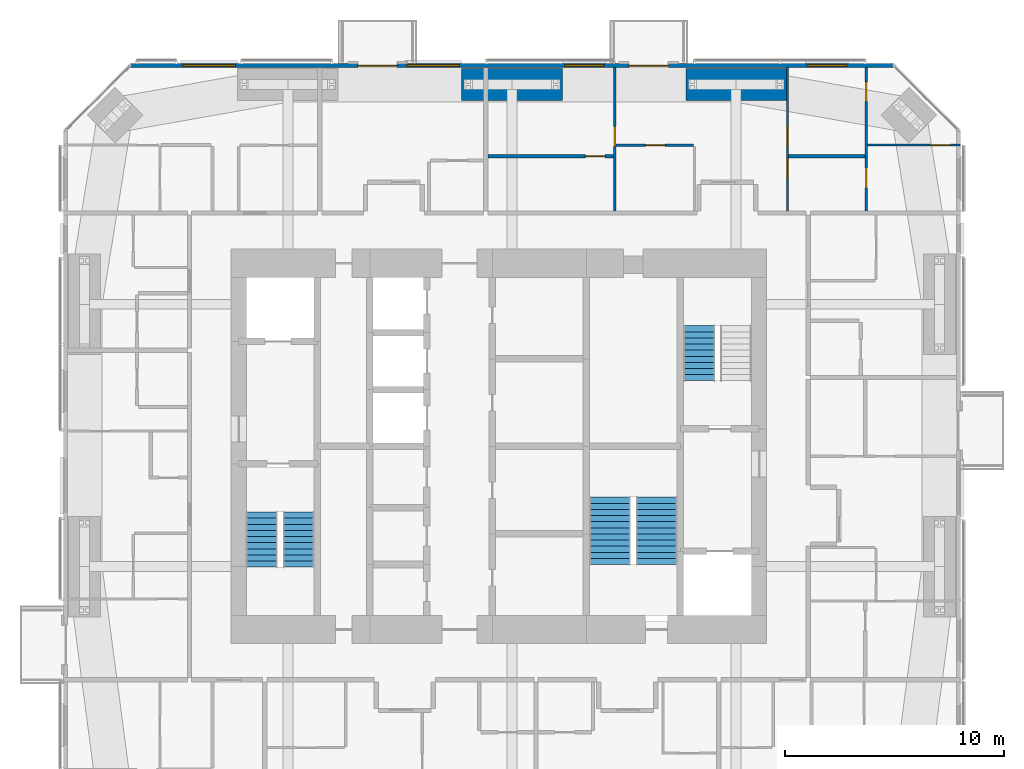
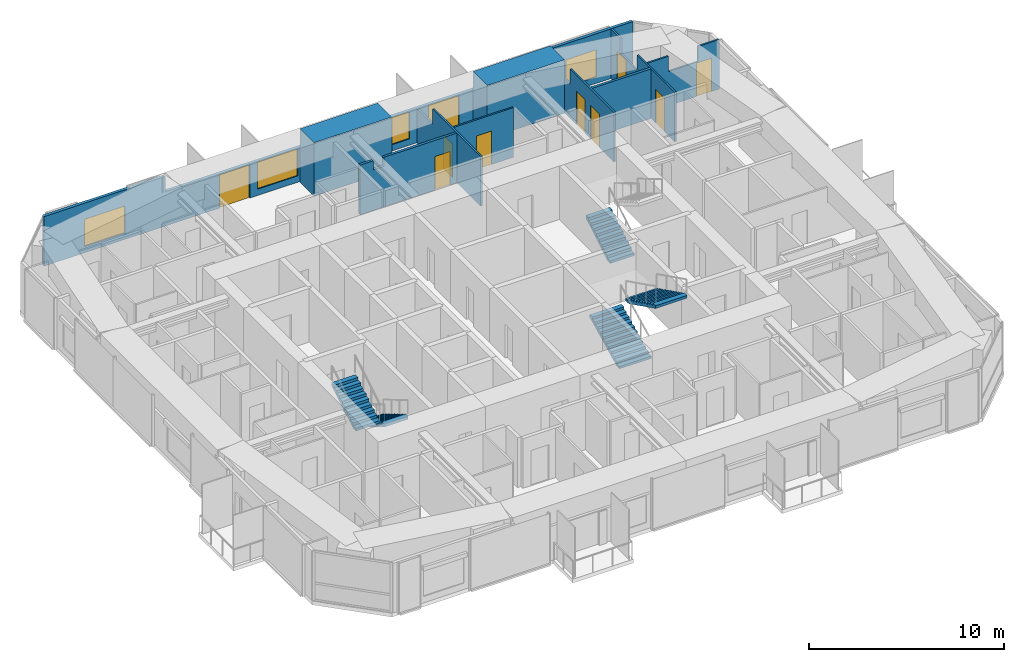
# One storey, part 21 of 23: 10 doors, 10 walls, 5 stair flights, 4 windows, 14 openings, 3 elements without a shape of their own.
"""IFC4 building model written with IfcOpenShell, lengths in metres."""

from ifc_helpers import new_model, si_unit, direction, frame, frame_2d, origin, place, context, subcontext, project, spatial, polyline, rectangle, outline, extrude, material, layer, layer_set, constituent, constituent_set, type_object, element, fill, aggregate, save


model = new_model("IFC4")

# Units and contexts
model_context = context("Model", 3, precision=1e-05, world=origin(), true_north=direction((0.0, 1.0)))
body_context = subcontext(model_context, "Body", "Model", "MODEL_VIEW")
ifc_project = project(units=[si_unit("LENGTHUNIT", "METRE"), si_unit("AREAUNIT", "SQUARE_METRE"), si_unit("VOLUMEUNIT", "CUBIC_METRE"), si_unit("PLANEANGLEUNIT", "RADIAN"), si_unit("MASSUNIT", "GRAM", prefix="KILO")], contexts=[model_context])

# Site, building, storey
site_placement = place(None, origin())
site = spatial("IfcSite", under=ifc_project, at=site_placement, CompositionType="ELEMENT")
building_placement = place(site_placement, origin())
building = spatial("IfcBuilding", under=site, at=building_placement, Name="Jalousie Tower", CompositionType="ELEMENT")
storey_placement = place(building_placement, frame((0.0, 0.0, 171.10009765625)))
storey = spatial("IfcBuildingStorey", under=building, at=storey_placement, Name="L46", CompositionType="ELEMENT", Elevation=171.10009765625)

# Wall, opening, door
ifc_material_1 = material(Name="Concrete block ASTM C90", Category="concrete")
ifc_constituent_1 = constituent(ifc_material_1, Name="Body")
ifc_material_2 = material(Name="Render")
ifc_constituent_2 = constituent(ifc_material_2, Name="Finish")
ifc_constituent_set_1 = constituent_set(constituents=[ifc_constituent_1, ifc_constituent_2])
wall_type_1 = type_object("IfcWallType", Name="BATHROOM WALL 150", PredefinedType="PLUMBINGWALL", material=ifc_constituent_set_1)
wall_1_placement = place(storey_placement, frame((31.39990234375, 31.77490234375, 0.0), z_axis=(0.0, 0.0, 1.0), x_axis=(1.0, 0.0, 0.0)))
wall_1 = element("IfcWall", 1, at=wall_1_placement, inside=storey, type_object=wall_type_1, Name="Bathroom Wall 150 L46", PredefinedType="PLUMBINGWALL", context=body_context, shape_type="SweptSolid", body=[
    extrude(outline(polyline([(0.0, 0.0), (5.75, 0.0), (5.75, 3.10986328125), (1.412353515625, 3.10986328125), (1.412353515625, 2.541015625), (0.78759765625, 2.541015625), (0.78759765625, 3.10986328125), (0.0, 3.10986328125), (0.0, 0.0)])), frame((0.0, 0.074951171875, 0.0), z_axis=(0.0, -1.0, 0.0), x_axis=(1.0, 0.0, 0.0)), (0.0, 0.0, 1.0), 0.14990234375),
])
opening_1_placement = place(wall_1_placement, frame((4.449951171875, 0.0, 0.0)))
opening_1 = element("IfcOpeningElement", 2, at=opening_1_placement, cuts=wall_1, Name="Opening D3", PredefinedType="OPENING", context=body_context, shape_type="SweptSolid", body=[
    extrude(rectangle(XDim=0.89990234375, YDim=2.10009765625, at=frame_2d((0.449951171875, 1.050048828125))), frame((0.0, 0.0849609375, 0.0), z_axis=(0.0, -1.0, 0.0), x_axis=(1.0, 0.0, 0.0)), (0.0, 0.0, 1.0), 0.169921875),
])
ifc_material_3 = material(Name="Timber door", Category="wood")
door_type_1 = type_object("IfcDoorType", Name="BATHROOM DOOR 900", OperationType="SINGLE_SWING_LEFT", PredefinedType="DOOR", material=ifc_material_3)
door_1_placement = place(opening_1_placement, frame((0.89990234375, 0.0, 0.0), z_axis=(0.0, 0.0, 1.0), x_axis=(-1.0, 0.0, 0.0)))
door_1 = element("IfcDoor", 3, at=door_1_placement, inside=storey, type_object=door_type_1, Name="Apartment 4607 bedroom 1 bathroom door", OperationType="SINGLE_SWING_LEFT", OverallHeight=2.10009765625, OverallWidth=0.89990234375, PredefinedType="DOOR", context=body_context, shape_type="SweptSolid", body=[
    extrude(rectangle(XDim=0.89990234375, YDim=2.10009765625, at=frame_2d((0.449951171875, 1.050048828125))), frame((0.0, 0.02490234375, 0.0), z_axis=(0.0, -1.0, 0.0), x_axis=(1.0, 0.0, 0.0)), (0.0, 0.0, 1.0), 0.050048828125),
])
fill(opening_1, door_1)

# Wall
wall_2_placement = place(storey_placement, frame((45.14990234375, 31.77490234375, 0.0), z_axis=(0.0, 0.0, 1.0), x_axis=(1.0, 0.0, 0.0)))
element("IfcWall", 4, at=wall_2_placement, inside=storey, type_object=wall_type_1, Name="Bathroom Wall 150 L46", PredefinedType="PLUMBINGWALL", context=body_context, shape_type="SweptSolid", body=[
    extrude(rectangle(XDim=3.5, YDim=0.14990234375, at=frame_2d((1.75, 0.0))), origin(), (0.0, 0.0, 1.0), 3.10986328125),
])

# Wall, openings, doors, windows
ifc_material_4 = material(Name="Concrete f'c 40 MPa", Category="concrete")
ifc_constituent_3 = constituent(ifc_material_4, Name="Body")
ifc_material_5 = material(Name="Render, pastel lemon")
ifc_constituent_4 = constituent(ifc_material_5, Name="Finish")
ifc_constituent_set_2 = constituent_set(constituents=[ifc_constituent_3, ifc_constituent_4])
wall_type_2 = type_object("IfcWallType", Name="EXTERNAL WALL 175 LEMON RENDER", PredefinedType="SOLIDWALL", material=ifc_constituent_set_2)
wall_3_placement = place(storey_placement, frame((49.94873046875, 35.91259765625, 0.0), z_axis=(0.0, 0.0, 1.0), x_axis=(-1.0, 0.0, 0.0)))
wall_3 = element("IfcWall", 5, at=wall_3_placement, inside=storey, type_object=wall_type_2, Name="External Wall 175 Lemon Render L46", PredefinedType="SOLIDWALL", context=body_context, shape_type="SweptSolid", body=[
    extrude(outline(polyline([(0.0, 0.0), (34.8974609375, 0.0), (34.8974609375, 3.10986328125), (27.91015625, 3.10986328125), (27.91015625, 2.14990234375), (27.8359375, 2.14990234375), (27.8359375, 3.10986328125), (27.69873046875, 3.10986328125), (27.69873046875, 2.14990234375), (7.19873046875, 2.14990234375), (7.19873046875, 3.10986328125), (7.0615234375, 3.10986328125), (7.0615234375, 2.14990234375), (6.9873046875, 2.14990234375), (6.9873046875, 3.10986328125), (0.0, 3.10986328125), (0.0, 0.0)])), frame((0.0, 0.08740234375, 0.0), z_axis=(0.0, -1.0, 0.0), x_axis=(1.0, 0.0, 0.0)), (0.0, 0.0, 1.0), 0.175048828125),
])
opening_2_placement = place(wall_3_placement, frame((2.148681640625, 0.0, 0.39990234375)))
opening_2 = element("IfcOpeningElement", 6, at=opening_2_placement, cuts=wall_3, Name="Opening W-BED170", PredefinedType="OPENING", context=body_context, shape_type="SweptSolid", body=[
    extrude(rectangle(XDim=1.800048828125, YDim=1.699951171875, at=frame_2d((0.89990234375, 0.85009765625))), frame((0.0, 0.097412109375, 0.0), z_axis=(0.0, -1.0, 0.0), x_axis=(1.0, 0.0, 0.0)), (0.0, 0.0, 1.0), 0.195068359375),
])
opening_3_placement = place(wall_3_placement, frame((10.298583984375, 0.0, 0.0)))
opening_3 = element("IfcOpeningElement", 7, at=opening_3_placement, cuts=wall_3, Name="Opening D-BAL21", PredefinedType="OPENING", context=body_context, shape_type="SweptSolid", body=[
    extrude(rectangle(XDim=1.800048828125, YDim=2.10009765625, at=frame_2d((0.89990234375, 1.050048828125))), frame((0.0, 0.097412109375, 0.0), z_axis=(0.0, -1.0, 0.0), x_axis=(1.0, 0.0, 0.0)), (0.0, 0.0, 1.0), 0.195068359375),
])
opening_4_placement = place(wall_3_placement, frame((13.231201171875, 0.0, 0.39990234375)))
opening_4 = element("IfcOpeningElement", 8, at=opening_4_placement, cuts=wall_3, Name="Opening W-BED170", PredefinedType="OPENING", context=body_context, shape_type="SweptSolid", body=[
    extrude(rectangle(XDim=1.800048828125, YDim=1.699951171875, at=frame_2d((0.89990234375, 0.85009765625))), frame((0.0, 0.097412109375, 0.0), z_axis=(0.0, -1.0, 0.0), x_axis=(1.0, 0.0, 0.0)), (0.0, 0.0, 1.0), 0.195068359375),
])
opening_5_placement = place(wall_3_placement, frame((22.69873046875, 0.0, 0.0)))
opening_5 = element("IfcOpeningElement", 9, at=opening_5_placement, cuts=wall_3, Name="Opening D-BAL21", PredefinedType="OPENING", context=body_context, shape_type="SweptSolid", body=[
    extrude(rectangle(XDim=1.800048828125, YDim=2.10009765625, at=frame_2d((0.89990234375, 1.050048828125))), frame((0.0, 0.097412109375, 0.0), z_axis=(0.0, -1.0, 0.0), x_axis=(1.0, 0.0, 0.0)), (0.0, 0.0, 1.0), 0.195068359375),
])
opening_6_placement = place(wall_3_placement, frame((19.85302734375, 0.0, 0.39990234375)))
opening_6 = element("IfcOpeningElement", 10, at=opening_6_placement, cuts=wall_3, Name="Opening W-LIV170", PredefinedType="OPENING", context=body_context, shape_type="SweptSolid", body=[
    extrude(rectangle(XDim=2.39990234375, YDim=1.699951171875, at=frame_2d((1.199951171875, 0.85009765625))), frame((0.0, 0.097412109375, 0.0), z_axis=(0.0, -1.0, 0.0), x_axis=(1.0, 0.0, 0.0)), (0.0, 0.0, 1.0), 0.195068359375),
])
opening_7_placement = place(wall_3_placement, frame((30.104248046875, 0.0, 0.39990234375)))
opening_7 = element("IfcOpeningElement", 11, at=opening_7_placement, cuts=wall_3, Name="Opening W-LIV170", PredefinedType="OPENING", context=body_context, shape_type="SweptSolid", body=[
    extrude(rectangle(XDim=2.39990234375, YDim=1.699951171875, at=frame_2d((1.199951171875, 0.85009765625))), frame((0.0, 0.097412109375, 0.0), z_axis=(0.0, -1.0, 0.0), x_axis=(1.0, 0.0, 0.0)), (0.0, 0.0, 1.0), 0.195068359375),
])
ifc_material_6 = material(Name="Aluminium frame, impact-rated glazing", Category="aluminium")
door_type_2 = type_object("IfcDoorType", Name="BALCONY DOOR 1800x2100", OperationType="SLIDING_TO_LEFT", PredefinedType="DOOR", material=ifc_material_6)
door_2_placement = place(opening_3_placement, origin())
door_2 = element("IfcDoor", 12, at=door_2_placement, inside=storey, type_object=door_type_2, Name="Apartment 4607 living and dining room balcony door", OperationType="SLIDING_TO_LEFT", OverallHeight=2.10009765625, OverallWidth=1.800048828125, PredefinedType="DOOR", context=body_context, shape_type="SweptSolid", body=[
    extrude(rectangle(XDim=1.800048828125, YDim=2.10009765625, at=frame_2d((0.89990234375, 1.050048828125))), frame((0.0, 0.02490234375, 0.0), z_axis=(0.0, -1.0, 0.0), x_axis=(1.0, 0.0, 0.0)), (0.0, 0.0, 1.0), 0.050048828125),
])
fill(opening_3, door_2)
door_3_placement = place(opening_5_placement, origin())
door_3 = element("IfcDoor", 13, at=door_3_placement, inside=storey, type_object=door_type_2, Name="Apartment 4606 studio kitchen, living and sleeping room balcony door", OperationType="SLIDING_TO_LEFT", OverallHeight=2.10009765625, OverallWidth=1.800048828125, PredefinedType="DOOR", context=body_context, shape_type="SweptSolid", body=[
    extrude(rectangle(XDim=1.800048828125, YDim=2.10009765625, at=frame_2d((0.89990234375, 1.050048828125))), frame((0.0, 0.02490234375, 0.0), z_axis=(0.0, -1.0, 0.0), x_axis=(1.0, 0.0, 0.0)), (0.0, 0.0, 1.0), 0.050048828125),
])
fill(opening_5, door_3)
ifc_material_7 = material(Name="Aluminium frame, impact-rated glazing", Category="aluminium")
window_type_1 = type_object("IfcWindowType", Name="WINDOW BED 1800x1700", PartitioningType="SINGLE_PANEL", PredefinedType="WINDOW", material=ifc_material_7)
window_1_placement = place(opening_2_placement, origin())
window_1 = element("IfcWindow", 14, at=window_1_placement, inside=storey, type_object=window_type_1, Name="Apartment 4607 bedroom 2 window", OverallHeight=1.699951171875, OverallWidth=1.800048828125, PartitioningType="SINGLE_PANEL", PredefinedType="WINDOW", context=body_context, shape_type="SweptSolid", body=[
    extrude(rectangle(XDim=1.800048828125, YDim=1.699951171875, at=frame_2d((0.89990234375, 0.85009765625))), frame((0.0, 0.030029296875, 0.0), z_axis=(0.0, -1.0, 0.0), x_axis=(1.0, 0.0, 0.0)), (0.0, 0.0, 1.0), 0.06005859375),
])
fill(opening_2, window_1)
window_2_placement = place(opening_4_placement, origin())
window_2 = element("IfcWindow", 15, at=window_2_placement, inside=storey, type_object=window_type_1, Name="Apartment 4607 bedroom 1 window", OverallHeight=1.699951171875, OverallWidth=1.800048828125, PartitioningType="SINGLE_PANEL", PredefinedType="WINDOW", context=body_context, shape_type="SweptSolid", body=[
    extrude(rectangle(XDim=1.800048828125, YDim=1.699951171875, at=frame_2d((0.89990234375, 0.85009765625))), frame((0.0, 0.030029296875, 0.0), z_axis=(0.0, -1.0, 0.0), x_axis=(1.0, 0.0, 0.0)), (0.0, 0.0, 1.0), 0.06005859375),
])
fill(opening_4, window_2)
ifc_material_8 = material(Name="Aluminium frame, impact-rated glazing", Category="aluminium")
window_type_2 = type_object("IfcWindowType", Name="WINDOW LIV 2400x1700", PartitioningType="DOUBLE_PANEL_VERTICAL", PredefinedType="WINDOW", material=ifc_material_8)
window_3_placement = place(opening_6_placement, origin())
window_3 = element("IfcWindow", 16, at=window_3_placement, inside=storey, type_object=window_type_2, Name="Apartment 4606 studio kitchen, living and sleeping room window", OverallHeight=1.699951171875, OverallWidth=2.39990234375, PartitioningType="SINGLE_PANEL", PredefinedType="WINDOW", context=body_context, shape_type="SweptSolid", body=[
    extrude(rectangle(XDim=2.39990234375, YDim=1.699951171875, at=frame_2d((1.199951171875, 0.85009765625))), frame((0.0, 0.030029296875, 0.0), z_axis=(0.0, -1.0, 0.0), x_axis=(1.0, 0.0, 0.0)), (0.0, 0.0, 1.0), 0.06005859375),
])
fill(opening_6, window_3)
window_4_placement = place(opening_7_placement, origin())
window_4 = element("IfcWindow", 17, at=window_4_placement, inside=storey, type_object=window_type_2, Name="Apartment 4605 living and dining room window", OverallHeight=1.699951171875, OverallWidth=2.39990234375, PartitioningType="SINGLE_PANEL", PredefinedType="WINDOW", context=body_context, shape_type="SweptSolid", body=[
    extrude(rectangle(XDim=2.39990234375, YDim=1.699951171875, at=frame_2d((1.199951171875, 0.85009765625))), frame((0.0, 0.030029296875, 0.0), z_axis=(0.0, -1.0, 0.0), x_axis=(1.0, 0.0, 0.0)), (0.0, 0.0, 1.0), 0.06005859375),
])
fill(opening_7, window_4)

# Wall, opening, door
ifc_material_9 = material(Name="Gypsum board", Category="gypsum")
ifc_constituent_5 = constituent(ifc_material_9, Name="Body")
ifc_material_10 = material(Name="Light-gauge steel studs ASTM A653 SS Grade 33", Category="steel")
ifc_constituent_6 = constituent(ifc_material_10, Name="Framing")
ifc_constituent_set_3 = constituent_set(constituents=[ifc_constituent_5, ifc_constituent_6])
wall_type_3 = type_object("IfcWallType", Name="PARTITION 100", PredefinedType="PARTITIONING", material=ifc_constituent_set_3)
wall_4_placement = place(storey_placement, frame((37.199951171875, 35.824951171875, 0.0), z_axis=(0.0, 0.0, 1.0), x_axis=(0.0, -1.0, 0.0)))
wall_4 = element("IfcWall", 18, at=wall_4_placement, inside=storey, type_object=wall_type_3, Name="Partition 100 L46", PredefinedType="PARTITIONING", context=body_context, shape_type="SweptSolid", body=[
    extrude(outline(polyline([(0.0, 0.0), (6.550048828125, 0.0), (6.550048828125, 3.10986328125), (1.635009765625, 3.10986328125), (1.635009765625, 2.14990234375), (0.0, 2.14990234375), (0.0, 3.10986328125), (0.0, 0.0)])), frame((0.0, 0.050048828125, 0.0), z_axis=(0.0, -1.0, 0.0), x_axis=(1.0, 0.0, 0.0)), (0.0, 0.0, 1.0), 0.10009765625),
])
opening_8_placement = place(wall_4_placement, frame((2.699951171875, 0.0, 0.0)))
opening_8 = element("IfcOpeningElement", 19, at=opening_8_placement, cuts=wall_4, Name="Opening D2", PredefinedType="OPENING", context=body_context, shape_type="SweptSolid", body=[
    extrude(rectangle(XDim=0.89990234375, YDim=2.10009765625, at=frame_2d((0.449951171875, 1.050048828125))), frame((0.0, 0.06005859375, 0.0), z_axis=(0.0, -1.0, 0.0), x_axis=(1.0, 0.0, 0.0)), (0.0, 0.0, 1.0), 0.1201171875),
])
ifc_material_11 = material(Name="Timber door", Category="wood")
door_type_3 = type_object("IfcDoorType", Name="BEDROOM DOOR 900", OperationType="SINGLE_SWING_LEFT", PredefinedType="DOOR", material=ifc_material_11)
door_4_placement = place(opening_8_placement, frame((0.89990234375, 0.0, 0.0), z_axis=(0.0, 0.0, 1.0), x_axis=(-1.0, 0.0, 0.0)))
door_4 = element("IfcDoor", 20, at=door_4_placement, inside=storey, type_object=door_type_3, Name="Apartment 4607 bedroom 1 door", OperationType="SINGLE_SWING_LEFT", OverallHeight=2.10009765625, OverallWidth=0.89990234375, PredefinedType="DOOR", context=body_context, shape_type="SweptSolid", body=[
    extrude(rectangle(XDim=0.89990234375, YDim=2.10009765625, at=frame_2d((0.449951171875, 1.050048828125))), frame((0.0, 0.02490234375, 0.0), z_axis=(0.0, -1.0, 0.0), x_axis=(1.0, 0.0, 0.0)), (0.0, 0.0, 1.0), 0.050048828125),
])
fill(opening_8, door_4)

# Wall, openings, doors
wall_5_placement = place(storey_placement, frame((45.10009765625, 35.824951171875, 0.0), z_axis=(0.0, 0.0, 1.0), x_axis=(0.0, -1.0, 0.0)))
wall_5 = element("IfcWall", 21, at=wall_5_placement, inside=storey, type_object=wall_type_3, Name="Partition 100 L46", PredefinedType="PARTITIONING", context=body_context, shape_type="SweptSolid", body=[
    extrude(outline(polyline([(0.0, 0.0), (6.550048828125, 0.0), (6.550048828125, 3.10986328125), (2.064208984375, 3.10986328125), (2.064208984375, 2.14990234375), (0.317626953125, 2.14990234375), (0.317626953125, 3.10986328125), (0.0, 3.10986328125), (0.0, 0.0)])), frame((0.0, 0.050048828125, 0.0), z_axis=(0.0, -1.0, 0.0), x_axis=(1.0, 0.0, 0.0)), (0.0, 0.0, 1.0), 0.10009765625),
])
opening_9_placement = place(wall_5_placement, frame((2.699951171875, 0.0, 0.0)))
opening_9 = element("IfcOpeningElement", 22, at=opening_9_placement, cuts=wall_5, Name="Opening D2", PredefinedType="OPENING", context=body_context, shape_type="SweptSolid", body=[
    extrude(rectangle(XDim=0.89990234375, YDim=2.10009765625, at=frame_2d((0.449951171875, 1.050048828125))), frame((0.0, 0.06005859375, 0.0), z_axis=(0.0, -1.0, 0.0), x_axis=(1.0, 0.0, 0.0)), (0.0, 0.0, 1.0), 0.1201171875),
])
opening_10_placement = place(wall_5_placement, frame((4.14990234375, 0.0, 0.0)))
opening_10 = element("IfcOpeningElement", 23, at=opening_10_placement, cuts=wall_5, Name="Opening D7", PredefinedType="OPENING", context=body_context, shape_type="SweptSolid", body=[
    extrude(rectangle(XDim=0.89990234375, YDim=2.10009765625, at=frame_2d((0.449951171875, 1.050048828125))), frame((0.0, 0.06005859375, 0.0), z_axis=(0.0, -1.0, 0.0), x_axis=(1.0, 0.0, 0.0)), (0.0, 0.0, 1.0), 0.1201171875),
])
door_5_placement = place(opening_9_placement, origin())
door_5 = element("IfcDoor", 24, at=door_5_placement, inside=storey, type_object=door_type_3, Name="Apartment 4607 bedroom 2 door", OperationType="SINGLE_SWING_RIGHT", OverallHeight=2.10009765625, OverallWidth=0.89990234375, PredefinedType="DOOR", context=body_context, shape_type="SweptSolid", body=[
    extrude(rectangle(XDim=0.89990234375, YDim=2.10009765625, at=frame_2d((0.449951171875, 1.050048828125))), frame((0.0, 0.02490234375, 0.0), z_axis=(0.0, -1.0, 0.0), x_axis=(1.0, 0.0, 0.0)), (0.0, 0.0, 1.0), 0.050048828125),
])
fill(opening_9, door_5)
ifc_material_12 = material(Name="Timber door", Category="wood")
door_type_4 = type_object("IfcDoorType", Name="INTERNAL DOOR 900", OperationType="SINGLE_SWING_LEFT", PredefinedType="DOOR", material=ifc_material_12)
door_6_placement = place(opening_10_placement, origin())
door_6 = element("IfcDoor", 25, at=door_6_placement, inside=storey, type_object=door_type_4, Name="Apartment 4607 bathroom door", OperationType="SINGLE_SWING_LEFT", OverallHeight=2.10009765625, OverallWidth=0.89990234375, PredefinedType="DOOR", context=body_context, shape_type="SweptSolid", body=[
    extrude(rectangle(XDim=0.89990234375, YDim=2.10009765625, at=frame_2d((0.449951171875, 1.050048828125))), frame((0.0, 0.02490234375, 0.0), z_axis=(0.0, -1.0, 0.0), x_axis=(1.0, 0.0, 0.0)), (0.0, 0.0, 1.0), 0.050048828125),
])
fill(opening_10, door_6)

wall_6_placement = place(storey_placement, frame((48.699951171875, 35.824951171875, 0.0), z_axis=(0.0, 0.0, 1.0), x_axis=(0.0, -1.0, 0.0)))
wall_6 = element("IfcWall", 26, at=wall_6_placement, inside=storey, type_object=wall_type_3, Name="Partition 100 L46", PredefinedType="PARTITIONING", context=body_context, shape_type="SweptSolid", body=[
    extrude(outline(polyline([(0.0, 0.0), (6.550048828125, 0.0), (6.550048828125, 3.10986328125), (2.701416015625, 3.10986328125), (2.701416015625, 2.14990234375), (0.95458984375, 2.14990234375), (0.95458984375, 3.10986328125), (0.0, 3.10986328125), (0.0, 0.0)])), frame((0.0, 0.050048828125, 0.0), z_axis=(0.0, -1.0, 0.0), x_axis=(1.0, 0.0, 0.0)), (0.0, 0.0, 1.0), 0.10009765625),
])
opening_11_placement = place(wall_6_placement, frame((0.64990234375, 0.0, 0.0)))
opening_11 = element("IfcOpeningElement", 27, at=opening_11_placement, cuts=wall_6, Name="Opening D2", PredefinedType="OPENING", context=body_context, shape_type="SweptSolid", body=[
    extrude(rectangle(XDim=0.89990234375, YDim=2.10009765625, at=frame_2d((0.449951171875, 1.050048828125))), frame((0.0, 0.06005859375, 0.0), z_axis=(0.0, -1.0, 0.0), x_axis=(1.0, 0.0, 0.0)), (0.0, 0.0, 1.0), 0.1201171875),
])
opening_12_placement = place(wall_6_placement, frame((4.59814453125, 0.0, 0.0)))
opening_12 = element("IfcOpeningElement", 28, at=opening_12_placement, cuts=wall_6, Name="Opening D3", PredefinedType="OPENING", context=body_context, shape_type="SweptSolid", body=[
    extrude(rectangle(XDim=0.89990234375, YDim=2.10009765625, at=frame_2d((0.449951171875, 1.050048828125))), frame((0.0, 0.06005859375, 0.0), z_axis=(0.0, -1.0, 0.0), x_axis=(1.0, 0.0, 0.0)), (0.0, 0.0, 1.0), 0.1201171875),
])
door_7_placement = place(opening_12_placement, frame((0.89990234375, 0.0, 0.0), z_axis=(0.0, 0.0, 1.0), x_axis=(-1.0, 0.0, 0.0)))
door_7 = element("IfcDoor", 29, at=door_7_placement, inside=storey, type_object=door_type_1, Name="Apartment 4607 bedroom 3 bathroom door", OperationType="SINGLE_SWING_RIGHT", OverallHeight=2.10009765625, OverallWidth=0.89990234375, PredefinedType="DOOR", context=body_context, shape_type="SweptSolid", body=[
    extrude(rectangle(XDim=0.89990234375, YDim=2.10009765625, at=frame_2d((0.449951171875, 1.050048828125))), frame((0.0, 0.02490234375, 0.0), z_axis=(0.0, -1.0, 0.0), x_axis=(1.0, 0.0, 0.0)), (0.0, 0.0, 1.0), 0.050048828125),
])
fill(opening_12, door_7)
door_8_placement = place(opening_11_placement, frame((0.89990234375, 0.0, 0.0), z_axis=(0.0, 0.0, 1.0), x_axis=(-1.0, 0.0, 0.0)))
door_8 = element("IfcDoor", 30, at=door_8_placement, inside=storey, type_object=door_type_3, Name="Apartment 4607 bedroom 3 door", OperationType="SINGLE_SWING_RIGHT", OverallHeight=2.10009765625, OverallWidth=0.89990234375, PredefinedType="DOOR", context=body_context, shape_type="SweptSolid", body=[
    extrude(rectangle(XDim=0.89990234375, YDim=2.10009765625, at=frame_2d((0.449951171875, 1.050048828125))), frame((0.0, 0.02490234375, 0.0), z_axis=(0.0, -1.0, 0.0), x_axis=(1.0, 0.0, 0.0)), (0.0, 0.0, 1.0), 0.050048828125),
])
fill(opening_11, door_8)

# Wall, opening, door
wall_7_placement = place(storey_placement, frame((48.75, 32.27880859375, 0.0), z_axis=(0.0, 0.0, 1.0), x_axis=(1.0, 0.0, 0.0)))
wall_7 = element("IfcWall", 31, at=wall_7_placement, inside=storey, type_object=wall_type_3, Name="Partition 100 L46", PredefinedType="PARTITIONING", context=body_context, shape_type="SweptSolid", body=[
    extrude(outline(polyline([(0.0, 0.0), (4.25, 0.0), (4.25, 3.10986328125), (2.99462890625, 3.10986328125), (2.99462890625, 2.14990234375), (1.252197265625, 2.14990234375), (1.252197265625, 3.10986328125), (0.0, 3.10986328125), (0.0, 0.0)])), frame((0.0, 0.050048828125, 0.0), z_axis=(0.0, -1.0, 0.0), x_axis=(1.0, 0.0, 0.0)), (0.0, 0.0, 1.0), 0.10009765625),
])
opening_13_placement = place(wall_7_placement, frame((2.89990234375, 0.0, 0.0)))
opening_13 = element("IfcOpeningElement", 32, at=opening_13_placement, cuts=wall_7, Name="Opening D7", PredefinedType="OPENING", context=body_context, shape_type="SweptSolid", body=[
    extrude(rectangle(XDim=0.89990234375, YDim=2.10009765625, at=frame_2d((0.449951171875, 1.050048828125))), frame((0.0, 0.06005859375, 0.0), z_axis=(0.0, -1.0, 0.0), x_axis=(1.0, 0.0, 0.0)), (0.0, 0.0, 1.0), 0.1201171875),
])
door_9_placement = place(opening_13_placement, frame((0.89990234375, 0.0, 0.0), z_axis=(0.0, 0.0, 1.0), x_axis=(-1.0, 0.0, 0.0)))
door_9 = element("IfcDoor", 33, at=door_9_placement, inside=storey, type_object=door_type_4, Name="Apartment 4607 bedroom 3 dressing hall door", OperationType="SINGLE_SWING_LEFT", OverallHeight=2.10009765625, OverallWidth=0.89990234375, PredefinedType="DOOR", context=body_context, shape_type="SweptSolid", body=[
    extrude(rectangle(XDim=0.89990234375, YDim=2.10009765625, at=frame_2d((0.449951171875, 1.050048828125))), frame((0.0, 0.02490234375, 0.0), z_axis=(0.0, -1.0, 0.0), x_axis=(1.0, 0.0, 0.0)), (0.0, 0.0, 1.0), 0.050048828125),
])
fill(opening_13, door_9)

wall_8_placement = place(storey_placement, frame((37.25, 32.27490234375, 0.0), z_axis=(0.0, 0.0, 1.0), x_axis=(1.0, 0.0, 0.0)))
wall_8 = element("IfcWall", 34, at=wall_8_placement, inside=storey, type_object=wall_type_3, Name="Partition 100 L46", PredefinedType="PARTITIONING", context=body_context, shape_type="SweptSolid", body=[
    extrude(rectangle(XDim=3.550048828125, YDim=0.10009765625, at=frame_2d((1.77490234375, 0.0))), origin(), (0.0, 0.0, 1.0), 3.10986328125),
])
opening_14_placement = place(wall_8_placement, frame((1.35009765625, 0.0, 0.0)))
opening_14 = element("IfcOpeningElement", 35, at=opening_14_placement, cuts=wall_8, Name="Opening D7", PredefinedType="OPENING", context=body_context, shape_type="SweptSolid", body=[
    extrude(rectangle(XDim=0.89990234375, YDim=2.10009765625, at=frame_2d((0.449951171875, 1.050048828125))), frame((0.0, 0.06005859375, 0.0), z_axis=(0.0, -1.0, 0.0), x_axis=(1.0, 0.0, 0.0)), (0.0, 0.0, 1.0), 0.1201171875),
])
door_10_placement = place(opening_14_placement, origin())
door_10 = element("IfcDoor", 36, at=door_10_placement, inside=storey, type_object=door_type_4, Name="Apartment 4607 kitchen door", OperationType="SINGLE_SWING_LEFT", OverallHeight=2.10009765625, OverallWidth=0.89990234375, PredefinedType="DOOR", context=body_context, shape_type="SweptSolid", body=[
    extrude(rectangle(XDim=0.89990234375, YDim=2.10009765625, at=frame_2d((0.449951171875, 1.050048828125))), frame((0.0, 0.02490234375, 0.0), z_axis=(0.0, -1.0, 0.0), x_axis=(1.0, 0.0, 0.0)), (0.0, 0.0, 1.0), 0.050048828125),
])
fill(opening_14, door_10)

# Walls
ifc_material_13 = material(Name="Concrete f'c 120 MPa", Category="concrete")
ifc_layer = layer(ifc_material_13, 1.449951171875)
ifc_layer_set = layer_set([ifc_layer], Name="Concrete f'c 120 MPa")
wall_type_4 = type_object("IfcWallType", Name="RC WALL PIER 1450", PredefinedType="SHEAR", material=ifc_layer_set)
for number, where, z_axis, x_axis, name in (
    (37, (40.449951171875, 35.050048828125, 0.0), (0.0, 0.0, 1.0), (1.0, 0.0, 0.0), "Wall pier 09 L46"),
    (38, (30.199951171875, 35.050048828125, 0.0), (0.0, 0.0, 1.0), (1.0, 0.0, 0.0), "Wall pier 10 L46"),
):
    element("IfcWall", number, at=place(storey_placement, frame(where, z_axis=z_axis, x_axis=x_axis)), inside=storey, type_object=wall_type_4, Name=name, PredefinedType="SHEAR", context=body_context, shape_type="SweptSolid", body=[
        extrude(rectangle(XDim=4.60009765625, YDim=1.449951171875, at=frame_2d((2.300048828125, 0.0))), origin(), (0.0, 0.0, 1.0), 3.349853515625),
    ])

# Stair, stair flights
ifc_material_14 = material(Name="Concrete f'c 40 MPa", Category="concrete")
stair_type = type_object("IfcStairType", Name="EXIT STAIR", PredefinedType="HALF_TURN_STAIR", material=ifc_material_14)
stair_1_placement = place(storey_placement, origin())
stair_1 = element("IfcStair", 39, at=stair_1_placement, inside=storey, type_object=stair_type, Name="Exit stair A L46", PredefinedType="HALF_TURN_STAIR")
ifc_material_15 = material(Name="Concrete f'c 40 MPa", Category="concrete")
stair_flight_type = type_object("IfcStairFlightType", Name="STAIR FLIGHT", PredefinedType="STRAIGHT", material=ifc_material_15)
stair_flight_1_placement = place(storey_placement, frame((22.737548828125, 15.49755859375, 0.0), z_axis=(0.0, 0.0, 1.0), x_axis=(0.0, -1.0, 0.0)))
stair_flight_1 = element("IfcStairFlight", 40, at=stair_flight_1_placement, type_object=stair_flight_type, Name="ST-A flight 1", NumberOfRisers=10, NumberOfTreads=9, PredefinedType="STRAIGHT", RiserHeight=0.1675, TreadLength=0.28, context=body_context, shape_type="SweptSolid", body=[
    extrude(outline(polyline([(0.0, 0.0), (0.0, 0.16748046875), (0.280029296875, 0.16748046875), (0.280029296875, 0.3349609375), (0.56005859375, 0.3349609375), (0.56005859375, 0.50244140625), (0.840087890625, 0.50244140625), (0.840087890625, 0.669921875), (1.1201171875, 0.669921875), (1.1201171875, 0.83740234375), (1.39990234375, 0.83740234375), (1.39990234375, 1.0048828125), (1.679931640625, 1.0048828125), (1.679931640625, 1.172607421875), (1.9599609375, 1.172607421875), (1.9599609375, 1.340087890625), (2.239990234375, 1.340087890625), (2.239990234375, 1.507568359375), (2.52001953125, 1.507568359375), (2.52001953125, 1.675048828125), (2.52001953125, 1.332763671875), (0.2919921875, 0.0), (0.0, 0.0)])), frame((0.0, 0.71240234375, 0.0), z_axis=(0.0, -1.0, 0.0), x_axis=(1.0, 0.0, 0.0)), (0.0, 0.0, 1.0), 1.425048828125),
])
stair_flight_2_placement = place(storey_placement, frame((21.0625, 12.9775390625, 1.6748046875), z_axis=(0.0, 0.0, 1.0), x_axis=(0.0, 1.0, 0.0)))
stair_flight_2 = element("IfcStairFlight", 41, at=stair_flight_2_placement, type_object=stair_flight_type, Name="ST-A flight 2", NumberOfRisers=10, NumberOfTreads=9, PredefinedType="STRAIGHT", RiserHeight=0.1675, TreadLength=0.28, context=body_context, shape_type="SweptSolid", body=[
    extrude(outline(polyline([(0.0, 0.0), (0.0, 0.16748046875), (0.280029296875, 0.16748046875), (0.280029296875, 0.3349609375), (0.56005859375, 0.3349609375), (0.56005859375, 0.50244140625), (0.840087890625, 0.50244140625), (0.840087890625, 0.669921875), (1.1201171875, 0.669921875), (1.1201171875, 0.83740234375), (1.39990234375, 0.83740234375), (1.39990234375, 1.0048828125), (1.679931640625, 1.0048828125), (1.679931640625, 1.172607421875), (1.9599609375, 1.172607421875), (1.9599609375, 1.340087890625), (2.239990234375, 1.340087890625), (2.239990234375, 1.507568359375), (2.52001953125, 1.507568359375), (2.52001953125, 1.675048828125), (2.52001953125, 1.332763671875), (0.2919921875, 0.0), (0.0, 0.0)])), frame((0.0, 0.71240234375, 0.0), z_axis=(0.0, -1.0, 0.0), x_axis=(1.0, 0.0, 0.0)), (0.0, 0.0, 1.0), 1.425048828125),
])
aggregate(stair_1, [stair_flight_1, stair_flight_2])

# Stair, stair flight
stair_2_placement = place(storey_placement, origin())
stair_2 = element("IfcStair", 42, at=stair_2_placement, inside=storey, type_object=stair_type, Name="Exit stair B L46", PredefinedType="HALF_TURN_STAIR")
stair_flight_3_placement = place(storey_placement, frame((41.0625, 21.50244140625, 0.0), z_axis=(0.0, 0.0, 1.0), x_axis=(0.0, 1.0, 0.0)))
stair_flight_3 = element("IfcStairFlight", 43, at=stair_flight_3_placement, type_object=stair_flight_type, Name="ST-B flight 1", NumberOfRisers=10, NumberOfTreads=9, PredefinedType="STRAIGHT", RiserHeight=0.1675, TreadLength=0.28, context=body_context, shape_type="SweptSolid", body=[
    extrude(outline(polyline([(0.0, 0.0), (0.0, 0.16748046875), (0.280029296875, 0.16748046875), (0.280029296875, 0.3349609375), (0.56005859375, 0.3349609375), (0.56005859375, 0.50244140625), (0.840087890625, 0.50244140625), (0.840087890625, 0.669921875), (1.1201171875, 0.669921875), (1.1201171875, 0.83740234375), (1.39990234375, 0.83740234375), (1.39990234375, 1.0048828125), (1.679931640625, 1.0048828125), (1.679931640625, 1.172607421875), (1.9599609375, 1.172607421875), (1.9599609375, 1.340087890625), (2.239990234375, 1.340087890625), (2.239990234375, 1.507568359375), (2.52001953125, 1.507568359375), (2.52001953125, 1.675048828125), (2.52001953125, 1.332763671875), (0.2919921875, 0.0), (0.0, 0.0)])), frame((0.0, 0.71240234375, 0.0), z_axis=(0.0, -1.0, 0.0), x_axis=(1.0, 0.0, 0.0)), (0.0, 0.0, 1.0), 1.425048828125),
])
aggregate(stair_2, [stair_flight_3])

# Stair, stair flights
stair_3_placement = place(storey_placement, origin())
stair_3 = element("IfcStair", 44, at=stair_3_placement, inside=storey, type_object=stair_type, Name="Exit stair C L46", PredefinedType="HALF_TURN_STAIR")
stair_flight_4_placement = place(storey_placement, frame((36.987548828125, 13.097412109375, 0.0), z_axis=(0.0, 0.0, 1.0), x_axis=(0.0, 1.0, 0.0)))
stair_flight_4 = element("IfcStairFlight", 45, at=stair_flight_4_placement, type_object=stair_flight_type, Name="ST-C flight 1", NumberOfRisers=12, NumberOfTreads=11, PredefinedType="STRAIGHT", RiserHeight=0.139583333, TreadLength=0.28, context=body_context, shape_type="SweptSolid", body=[
    extrude(outline(polyline([(0.0, 0.0), (0.0, 0.1396484375), (0.280029296875, 0.1396484375), (0.280029296875, 0.279052734375), (0.56005859375, 0.279052734375), (0.56005859375, 0.418701171875), (0.840087890625, 0.418701171875), (0.840087890625, 0.558349609375), (1.1201171875, 0.558349609375), (1.1201171875, 0.697998046875), (1.39990234375, 0.697998046875), (1.39990234375, 0.83740234375), (1.679931640625, 0.83740234375), (1.679931640625, 0.97705078125), (1.9599609375, 0.97705078125), (1.9599609375, 1.11669921875), (2.239990234375, 1.11669921875), (2.239990234375, 1.25634765625), (2.52001953125, 1.25634765625), (2.52001953125, 1.395751953125), (2.800048828125, 1.395751953125), (2.800048828125, 1.535400390625), (3.080078125, 1.535400390625), (3.080078125, 1.675048828125), (3.080078125, 1.367919921875), (0.3359375, 0.0), (0.0, 0.0)])), frame((0.0, 0.9375, 0.0), z_axis=(0.0, -1.0, 0.0), x_axis=(1.0, 0.0, 0.0)), (0.0, 0.0, 1.0), 1.875),
])
stair_flight_5_placement = place(storey_placement, frame((39.112548828125, 16.177490234375, 1.6748046875), z_axis=(0.0, 0.0, 1.0), x_axis=(0.0, -1.0, 0.0)))
stair_flight_5 = element("IfcStairFlight", 46, at=stair_flight_5_placement, type_object=stair_flight_type, Name="ST-C flight 2", NumberOfRisers=12, NumberOfTreads=11, PredefinedType="STRAIGHT", RiserHeight=0.139583333, TreadLength=0.28, context=body_context, shape_type="SweptSolid", body=[
    extrude(outline(polyline([(0.0, 0.0), (0.0, 0.1396484375), (0.280029296875, 0.1396484375), (0.280029296875, 0.279052734375), (0.56005859375, 0.279052734375), (0.56005859375, 0.418701171875), (0.840087890625, 0.418701171875), (0.840087890625, 0.558349609375), (1.1201171875, 0.558349609375), (1.1201171875, 0.697998046875), (1.39990234375, 0.697998046875), (1.39990234375, 0.83740234375), (1.679931640625, 0.83740234375), (1.679931640625, 0.97705078125), (1.9599609375, 0.97705078125), (1.9599609375, 1.11669921875), (2.239990234375, 1.11669921875), (2.239990234375, 1.25634765625), (2.52001953125, 1.25634765625), (2.52001953125, 1.395751953125), (2.800048828125, 1.395751953125), (2.800048828125, 1.535400390625), (3.080078125, 1.535400390625), (3.080078125, 1.675048828125), (3.080078125, 1.367919921875), (0.3359375, 0.0), (0.0, 0.0)])), frame((0.0, 0.9375, 0.0), z_axis=(0.0, -1.0, 0.0), x_axis=(1.0, 0.0, 0.0)), (0.0, 0.0, 1.0), 1.875),
])
aggregate(stair_3, [stair_flight_4, stair_flight_5])

save(model, "model.ifc")
